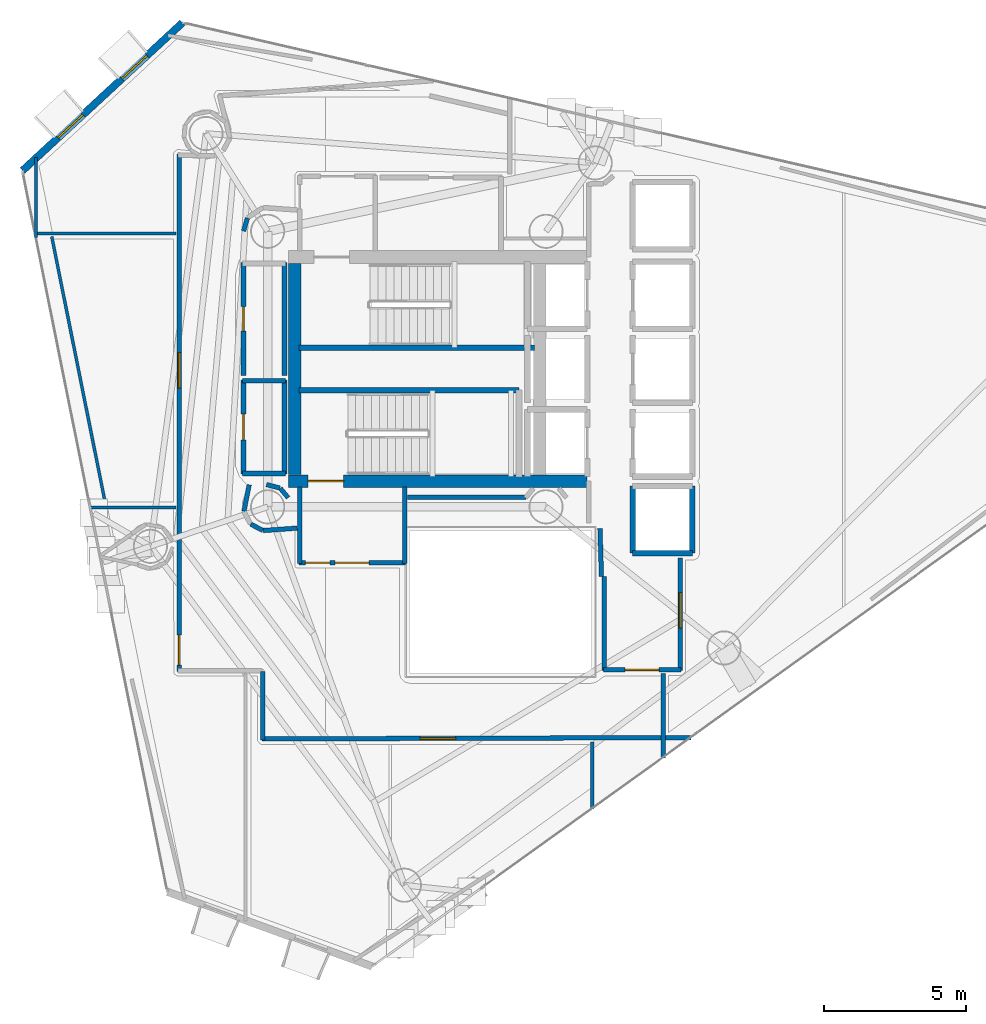
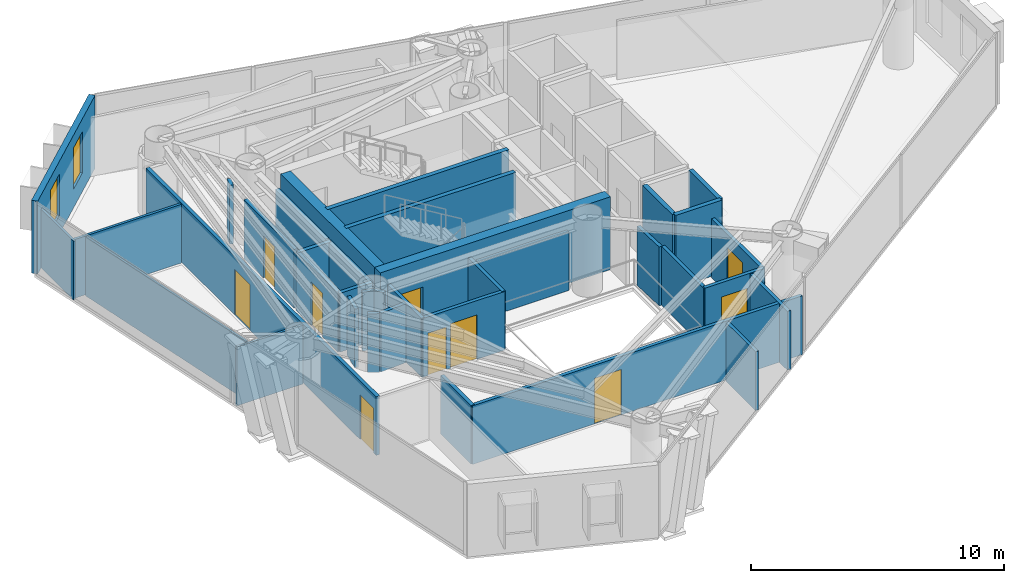
# One storey, part 17 of 22: 37 walls, 10 doors, 2 windows, 12 openings.
"""IFC4 building model written with IfcOpenShell, lengths in metres."""

from ifc_helpers import new_model, si_unit, direction, frame, frame_2d, origin, place, context, subcontext, project, spatial, rectangle, extrude, material, layer, layer_set, type_object, element, fill, save


model = new_model("IFC4")

# Units and contexts
model_context = context("Model", 3, precision=1e-05, world=origin(), true_north=direction((0.0, 1.0)))
body_context = subcontext(model_context, "Body", "Model", "MODEL_VIEW")
ifc_project = project(units=[si_unit("LENGTHUNIT", "METRE"), si_unit("AREAUNIT", "SQUARE_METRE"), si_unit("VOLUMEUNIT", "CUBIC_METRE"), si_unit("PLANEANGLEUNIT", "RADIAN"), si_unit("MASSUNIT", "GRAM", prefix="KILO")], contexts=[model_context])

# Site, building, storey
site_placement = place(None, origin())
site = spatial("IfcSite", under=ifc_project, at=site_placement, CompositionType="ELEMENT")
building_placement = place(site_placement, origin())
building = spatial("IfcBuilding", under=site, at=building_placement, Name="Qianvela Tower", CompositionType="ELEMENT")
storey_placement = place(building_placement, frame((0.0, 0.0, 204.0)))
storey = spatial("IfcBuildingStorey", under=building, at=storey_placement, Name="L52", CompositionType="ELEMENT", Elevation=204.0)

# Wall, openings, windows
ifc_material_1 = material(Name="Terracotta Cladding on Concrete C40", Category="masonry")
ifc_layer_1 = layer(ifc_material_1, 0.260009765625)
ifc_layer_set_1 = layer_set([ifc_layer_1], Name="Terracotta Cladding on Concrete C40")
wall_type_1 = type_object("IfcWallType", Name="TERRACOTTA-WALL-260", PredefinedType="SOLIDWALL", material=ifc_layer_set_1)
wall_1_placement = place(storey_placement, frame((25.60107421875, 40.89306640625, 0.0), z_axis=(0.0, 0.0, 1.0), x_axis=(-0.734371177533, -0.678748092896, 0.0)))
wall_1 = element("IfcWall", 1, at=wall_1_placement, inside=storey, type_object=wall_type_1, Name="L52 Terracotta Chamfer Facet Wall 3", PredefinedType="SOLIDWALL", context=body_context, shape_type="SweptSolid", body=[
    extrude(rectangle(XDim=7.66796875, YDim=0.260009765625, at=frame_2d((3.833984375, 0.0))), origin(), (0.0, 0.0, 1.0), 3.52001953125),
])
opening_1_placement = place(wall_1_placement, frame((1.700439453125, 0.0, 0.89990234375)))
opening_1 = element("IfcOpeningElement", 2, at=opening_1_placement, cuts=wall_1, Name="Opening W-03", PredefinedType="OPENING", context=body_context, shape_type="SweptSolid", body=[
    extrude(rectangle(XDim=1.199951171875, YDim=2.0, at=frame_2d((0.60009765625, 1.0))), frame((0.0, 0.139892578125, 0.0), z_axis=(0.0, -1.0, 0.0), x_axis=(1.0, 0.0, 0.0)), (0.0, 0.0, 1.0), 0.280029296875),
])
opening_2_placement = place(wall_1_placement, frame((4.767578125, 0.0, 0.89990234375)))
opening_2 = element("IfcOpeningElement", 3, at=opening_2_placement, cuts=wall_1, Name="Opening W-03", PredefinedType="OPENING", context=body_context, shape_type="SweptSolid", body=[
    extrude(rectangle(XDim=1.199951171875, YDim=2.0, at=frame_2d((0.60009765625, 1.0))), frame((0.0, 0.139892578125, 0.0), z_axis=(0.0, -1.0, 0.0), x_axis=(1.0, 0.0, 0.0)), (0.0, 0.0, 1.0), 0.280029296875),
])
ifc_material_2 = material(Name="Thermally Broken Aluminium and Low-E Glass", Category="aluminium")
window_type = type_object("IfcWindowType", Name="WIN-TC-1200x2000", PartitioningType="SINGLE_PANEL", PredefinedType="WINDOW", material=ifc_material_2)
window_1_placement = place(opening_1_placement, origin())
window_1 = element("IfcWindow", 4, at=window_1_placement, inside=storey, type_object=window_type, Name="L52 Chamfer Facet Window 3.1", OverallHeight=2.0, OverallWidth=1.199951171875, PartitioningType="SINGLE_PANEL", PredefinedType="WINDOW", context=body_context, shape_type="SweptSolid", body=[
    extrude(rectangle(XDim=1.199951171875, YDim=2.0, at=frame_2d((0.60009765625, 1.0))), frame((0.0, 0.030029296875, 0.0), z_axis=(0.0, -1.0, 0.0), x_axis=(1.0, 0.0, 0.0)), (0.0, 0.0, 1.0), 0.06005859375),
])
fill(opening_1, window_1)
window_2_placement = place(opening_2_placement, origin())
window_2 = element("IfcWindow", 5, at=window_2_placement, inside=storey, type_object=window_type, Name="L52 Chamfer Facet Window 3.2", OverallHeight=2.0, OverallWidth=1.199951171875, PartitioningType="SINGLE_PANEL", PredefinedType="WINDOW", context=body_context, shape_type="SweptSolid", body=[
    extrude(rectangle(XDim=1.199951171875, YDim=2.0, at=frame_2d((0.60009765625, 1.0))), frame((0.0, 0.030029296875, 0.0), z_axis=(0.0, -1.0, 0.0), x_axis=(1.0, 0.0, 0.0)), (0.0, 0.0, 1.0), 0.06005859375),
])
fill(opening_2, window_2)

# Wall, opening, door
ifc_material_3 = material(Name="Concrete C50", Category="concrete")
ifc_layer_2 = layer(ifc_material_3, 0.449951171875)
ifc_layer_set_2 = layer_set([ifc_layer_2], Name="Concrete C50")
wall_type_2 = type_object("IfcWallType", Name="WT-CORE-450", PredefinedType="SHEAR", material=ifc_layer_set_2)
wall_2_placement = place(storey_placement, frame((29.330078125, 24.7548828125, 0.0), z_axis=(0.0, 0.0, 1.0), x_axis=(1.0, 0.0, 0.0)))
wall_2 = element("IfcWall", 6, at=wall_2_placement, inside=storey, type_object=wall_type_2, Name="L52 South Core Shear Wall", PredefinedType="SHEAR", context=body_context, shape_type="SweptSolid", body=[
    extrude(rectangle(XDim=10.52001953125, YDim=0.449951171875, at=frame_2d((5.260009765625, 0.0))), origin(), (0.0, 0.0, 1.0), 3.52001953125),
])
opening_3_placement = place(wall_2_placement, frame((0.695068359375, 0.0, 0.0)))
opening_3 = element("IfcOpeningElement", 7, at=opening_3_placement, cuts=wall_2, Name="Opening D-ST1", PredefinedType="OPENING", context=body_context, shape_type="SweptSolid", body=[
    extrude(rectangle(XDim=1.25, YDim=2.14990234375, at=frame_2d((0.625, 1.074951171875))), frame((0.0, 0.23486328125, 0.0), z_axis=(0.0, -1.0, 0.0), x_axis=(1.0, 0.0, 0.0)), (0.0, 0.0, 1.0), 0.469970703125),
])
ifc_material_4 = material(Name="Galvanised Fire Steel Q355B", Category="steel")
door_type_1 = type_object("IfcDoorType", Name="DT-STAIR-FD90", OperationType="NOTDEFINED", PredefinedType="DOOR", material=ifc_material_4)
door_1_placement = place(opening_3_placement, origin())
door_1 = element("IfcDoor", 8, at=door_1_placement, inside=storey, type_object=door_type_1, Name="L52 Stair ST-2 Exit Door", OperationType="SINGLE_SWING_RIGHT", OverallHeight=2.14990234375, OverallWidth=1.25, PredefinedType="DOOR", context=body_context, shape_type="SweptSolid", body=[
    extrude(rectangle(XDim=1.25, YDim=2.14990234375, at=frame_2d((0.625, 1.074951171875))), frame((0.0, 0.02490234375, 0.0), z_axis=(0.0, -1.0, 0.0), x_axis=(1.0, 0.0, 0.0)), (0.0, 0.0, 1.0), 0.050048828125),
])
fill(opening_3, door_1)

# Wall
wall_3_placement = place(storey_placement, frame((29.554931640625, 24.97998046875, 0.0), z_axis=(0.0, 0.0, 1.0), x_axis=(0.0, 1.0, 0.0)))
element("IfcWall", 9, at=wall_3_placement, inside=storey, type_object=wall_type_2, Name="L52 West Core Shear Wall", PredefinedType="SHEAR", context=body_context, shape_type="SweptSolid", body=[
    extrude(rectangle(XDim=7.43994140625, YDim=0.449951171875, at=frame_2d((3.719970703125, 0.0))), origin(), (0.0, 0.0, 1.0), 3.52001953125),
])

# Wall, openings, doors
ifc_material_5 = material(Name="Fire-Rated Gypsum and Concrete Block", Category="concrete")
ifc_layer_3 = layer(ifc_material_5, 0.159912109375)
ifc_layer_set_3 = layer_set([ifc_layer_3], Name="Fire-Rated Gypsum and Concrete Block")
wall_type_3 = type_object("IfcWallType", Name="WT-CORR-160", PredefinedType="PARTITIONING", material=ifc_layer_set_3)
wall_4_placement = place(storey_placement, frame((33.449951171875, 21.881103515625, 0.0), z_axis=(0.0, 0.0, 1.0), x_axis=(-1.0, 0.0, 0.0)))
wall_4 = element("IfcWall", 10, at=wall_4_placement, inside=storey, type_object=wall_type_3, Name="L52 Partition 5", PredefinedType="PARTITIONING", context=body_context, shape_type="SweptSolid", body=[
    extrude(rectangle(XDim=3.75, YDim=0.159912109375, at=frame_2d((1.875, 0.0))), origin(), (0.0, 0.0, 1.0), 2.840087890625),
])
opening_4_placement = place(wall_4_placement, frame((1.27490234375, 0.0, 0.0)))
opening_4 = element("IfcOpeningElement", 11, at=opening_4_placement, cuts=wall_4, Name="Opening D-LB1", PredefinedType="OPENING", context=body_context, shape_type="SweptSolid", body=[
    extrude(rectangle(XDim=1.199951171875, YDim=2.14990234375, at=frame_2d((0.60009765625, 1.074951171875))), frame((0.0, 0.08984375, 0.0), z_axis=(0.0, -1.0, 0.0), x_axis=(1.0, 0.0, 0.0)), (0.0, 0.0, 1.0), 0.179931640625),
])
opening_5_placement = place(wall_4_placement, frame((2.659912109375, 0.0, 0.0)))
opening_5 = element("IfcOpeningElement", 12, at=opening_5_placement, cuts=wall_4, Name="Opening D-LB2", PredefinedType="OPENING", context=body_context, shape_type="SweptSolid", body=[
    extrude(rectangle(XDim=0.860107421875, YDim=2.050048828125, at=frame_2d((0.43017578125, 1.02490234375))), frame((0.0, 0.08984375, 0.0), z_axis=(0.0, -1.0, 0.0), x_axis=(1.0, 0.0, 0.0)), (0.0, 0.0, 1.0), 0.179931640625),
])
ifc_material_6 = material(Name="Glazed Fire-Rated Steel Frame", Category="steel")
door_type_2 = type_object("IfcDoorType", Name="DT-LOBBY-FD90", OperationType="NOTDEFINED", PredefinedType="DOOR", material=ifc_material_6)
door_2_placement = place(opening_4_placement, origin())
door_2 = element("IfcDoor", 13, at=door_2_placement, inside=storey, type_object=door_type_2, Name="L52 Door L52 Firefighting Lobby South to L52 Floor Corridor", OperationType="SINGLE_SWING_LEFT", OverallHeight=2.14990234375, OverallWidth=1.199951171875, PredefinedType="DOOR", context=body_context, shape_type="SweptSolid", body=[
    extrude(rectangle(XDim=1.199951171875, YDim=2.14990234375, at=frame_2d((0.60009765625, 1.074951171875))), frame((0.0, 0.02490234375, 0.0), z_axis=(0.0, -1.0, 0.0), x_axis=(1.0, 0.0, 0.0)), (0.0, 0.0, 1.0), 0.050048828125),
])
fill(opening_4, door_2)
ifc_material_7 = material(Name="Insulated Steel Fire Door Q355B", Category="steel")
door_type_3 = type_object("IfcDoorType", Name="DT-LOBBY-FD90-860", OperationType="NOTDEFINED", PredefinedType="DOOR", material=ifc_material_7)
door_3_placement = place(opening_5_placement, origin())
door_3 = element("IfcDoor", 14, at=door_3_placement, inside=storey, type_object=door_type_3, Name="L52 Door L52 Firefighting Lobby South to L52 Floor Corridor", OperationType="SINGLE_SWING_RIGHT", OverallHeight=2.050048828125, OverallWidth=0.860107421875, PredefinedType="DOOR", context=body_context, shape_type="SweptSolid", body=[
    extrude(rectangle(XDim=0.860107421875, YDim=2.050048828125, at=frame_2d((0.43017578125, 1.02490234375))), frame((0.0, 0.02490234375, 0.0), z_axis=(0.0, -1.0, 0.0), x_axis=(1.0, 0.0, 0.0)), (0.0, 0.0, 1.0), 0.050048828125),
])
fill(opening_5, door_3)

# Walls
for number, where, z_axis, x_axis, name in (
    (15, (29.73095703125, 21.85009765625, 0.0), (0.0, 0.0, 1.0), (0.0, 1.0, 0.0), "L52 Partition 6"),
    (16, (33.4189453125, 24.5419921875, 0.0), (0.0, 0.0, 1.0), (0.0, -1.0, 0.0), "L52 Partition 8"),
):
    element("IfcWall", number, at=place(storey_placement, frame(where, z_axis=z_axis, x_axis=x_axis)), inside=storey, type_object=wall_type_3, Name=name, PredefinedType="PARTITIONING", context=body_context, shape_type="SweptSolid", body=[
        extrude(rectangle(XDim=2.69189453125, YDim=0.159912109375, at=frame_2d((1.345947265625, 0.0))), origin(), (0.0, 0.0, 1.0), 2.840087890625),
    ])
wall_5_placement = place(storey_placement, frame((40.35107421875, 21.40087890625, 0.0), z_axis=(0.0, 0.0, 1.0), x_axis=(-0.031058045979, 0.999517582527, 0.0)))
element("IfcWall", 17, at=wall_5_placement, inside=storey, type_object=wall_type_3, Name="L52 Partition 9", PredefinedType="PARTITIONING", context=body_context, shape_type="SweptSolid", body=[
    extrude(rectangle(XDim=1.68212890625, YDim=0.159912109375, at=frame_2d((0.841064453125, 0.0))), origin(), (0.0, 0.0, 1.0), 2.840087890625),
])

# Wall, opening, door
wall_6_placement = place(storey_placement, frame((43.118896484375, 22.050048828125, 0.0), z_axis=(0.0, 0.0, 1.0), x_axis=(0.0, -1.0, 0.0)))
wall_6 = element("IfcWall", 18, at=wall_6_placement, inside=storey, type_object=wall_type_3, Name="L52 Partition 17", PredefinedType="PARTITIONING", context=body_context, shape_type="SweptSolid", body=[
    extrude(rectangle(XDim=3.969970703125, YDim=0.159912109375, at=frame_2d((1.98486328125, 0.0))), origin(), (0.0, 0.0, 1.0), 2.840087890625),
])
opening_6_placement = place(wall_6_placement, frame((1.219970703125, 0.0, 0.0)))
opening_6 = element("IfcOpeningElement", 19, at=opening_6_placement, cuts=wall_6, Name="Opening D-LG1", PredefinedType="OPENING", context=body_context, shape_type="SweptSolid", body=[
    extrude(rectangle(XDim=1.25, YDim=2.199951171875, at=frame_2d((0.625, 1.10009765625))), frame((0.0, 0.08984375, 0.0), z_axis=(0.0, -1.0, 0.0), x_axis=(1.0, 0.0, 0.0)), (0.0, 0.0, 1.0), 0.179931640625),
])
ifc_material_8 = material(Name="Anodised Aluminium Acoustic Glass Door", Category="aluminium")
door_type_4 = type_object("IfcDoorType", Name="DT-LOUNGE-1250", OperationType="NOTDEFINED", PredefinedType="DOOR", material=ifc_material_8)
door_4_placement = place(opening_6_placement, origin())
door_4 = element("IfcDoor", 20, at=door_4_placement, inside=storey, type_object=door_type_4, Name="L52 Door Collaborative Co-working Office L52-02 to L52 Lift Lobby", OperationType="SINGLE_SWING_LEFT", OverallHeight=2.199951171875, OverallWidth=1.25, PredefinedType="DOOR", context=body_context, shape_type="SweptSolid", body=[
    extrude(rectangle(XDim=1.25, YDim=2.199951171875, at=frame_2d((0.625, 1.10009765625))), frame((0.0, 0.02490234375, 0.0), z_axis=(0.0, -1.0, 0.0), x_axis=(1.0, 0.0, 0.0)), (0.0, 0.0, 1.0), 0.050048828125),
])
fill(opening_6, door_4)

wall_7_placement = place(storey_placement, frame((43.14990234375, 18.111083984375, 0.0), z_axis=(0.0, 0.0, 1.0), x_axis=(-1.0, 0.0, 0.0)))
wall_7 = element("IfcWall", 21, at=wall_7_placement, inside=storey, type_object=wall_type_3, Name="L52 Partition 18", PredefinedType="PARTITIONING", context=body_context, shape_type="SweptSolid", body=[
    extrude(rectangle(XDim=2.72998046875, YDim=0.159912109375, at=frame_2d((1.364990234375, 0.0))), origin(), (0.0, 0.0, 1.0), 2.840087890625),
])
opening_7_placement = place(wall_7_placement, frame((0.764892578125, 0.0, 0.0)))
opening_7 = element("IfcOpeningElement", 22, at=opening_7_placement, cuts=wall_7, Name="Opening D-LB1", PredefinedType="OPENING", context=body_context, shape_type="SweptSolid", body=[
    extrude(rectangle(XDim=1.199951171875, YDim=2.14990234375, at=frame_2d((0.60009765625, 1.074951171875))), frame((0.0, 0.08984375, 0.0), z_axis=(0.0, -1.0, 0.0), x_axis=(1.0, 0.0, 0.0)), (0.0, 0.0, 1.0), 0.179931640625),
])
door_5_placement = place(opening_7_placement, origin())
door_5 = element("IfcDoor", 23, at=door_5_placement, inside=storey, type_object=door_type_2, Name="L52 Door L52 Lift Lobby to L52 Floor Corridor", OperationType="SINGLE_SWING_RIGHT", OverallHeight=2.14990234375, OverallWidth=1.199951171875, PredefinedType="DOOR", context=body_context, shape_type="SweptSolid", body=[
    extrude(rectangle(XDim=1.199951171875, YDim=2.14990234375, at=frame_2d((0.60009765625, 1.074951171875))), frame((0.0, 0.02490234375, 0.0), z_axis=(0.0, -1.0, 0.0), x_axis=(1.0, 0.0, 0.0)), (0.0, 0.0, 1.0), 0.050048828125),
])
fill(opening_7, door_5)

# Walls
wall_8_placement = place(storey_placement, frame((40.450927734375, 18.080078125, 0.0), z_axis=(0.0, 0.0, 1.0), x_axis=(0.0, 1.0, 0.0)))
element("IfcWall", 24, at=wall_8_placement, inside=storey, type_object=wall_type_3, Name="L52 Partition 19 seg 1", PredefinedType="PARTITIONING", context=body_context, shape_type="SweptSolid", body=[
    extrude(rectangle(XDim=3.31982421875, YDim=0.159912109375, at=frame_2d((1.659912109375, 0.0))), origin(), (0.0, 0.0, 1.0), 2.840087890625),
])
wall_9_placement = place(storey_placement, frame((29.321044921875, 24.169921875, 0.0), z_axis=(0.0, 0.0, 1.0), x_axis=(-0.638008265708, 0.770029514296, 0.0)))
element("IfcWall", 25, at=wall_9_placement, inside=storey, type_object=wall_type_3, Name="L52 Partition 36", PredefinedType="PARTITIONING", context=body_context, shape_type="SweptSolid", body=[
    extrude(rectangle(XDim=0.430908203125, YDim=0.159912109375, at=frame_2d((0.21533203125, 0.0))), origin(), (0.0, 0.0, 1.0), 2.840087890625),
])
wall_10_placement = place(storey_placement, frame((29.030029296875, 24.511962890625, 0.0), z_axis=(0.0, 0.0, 1.0), x_axis=(-0.967681003213, 0.252177469296, 0.0)))
element("IfcWall", 26, at=wall_10_placement, inside=storey, type_object=wall_type_3, Name="L52 Partition 37", PredefinedType="PARTITIONING", context=body_context, shape_type="SweptSolid", body=[
    extrude(rectangle(XDim=0.488037109375, YDim=0.159912109375, at=frame_2d((0.244140625, 0.0))), origin(), (0.0, 0.0, 1.0), 2.840087890625),
])
wall_11_placement = place(storey_placement, frame((37.70263671875, 24.180908203125, 0.0), z_axis=(0.0, 0.0, 1.0), x_axis=(-1.0, 0.0, 0.0)))
element("IfcWall", 27, at=wall_11_placement, inside=storey, type_object=wall_type_3, Name="L52 Partition 49", PredefinedType="PARTITIONING", context=body_context, shape_type="SweptSolid", body=[
    extrude(rectangle(XDim=4.172607421875, YDim=0.159912109375, at=frame_2d((2.08642578125, 0.0))), origin(), (0.0, 0.0, 1.0), 2.840087890625),
])
wall_12_placement = place(storey_placement, frame((27.888427734375, 34.0146484375, 0.0), z_axis=(0.0, 0.0, 1.0), x_axis=(-0.290263585829, -0.956946733492, 0.0)))
element("IfcWall", 28, at=wall_12_placement, inside=storey, type_object=wall_type_3, Name="L52 Partition 58", PredefinedType="PARTITIONING", context=body_context, shape_type="SweptSolid", body=[
    extrude(rectangle(XDim=0.47607421875, YDim=0.159912109375, at=frame_2d((0.238037109375, 0.0))), origin(), (0.0, 0.0, 1.0), 2.840087890625),
])
wall_13_placement = place(storey_placement, frame((27.950439453125, 24.626220703125, 0.0), z_axis=(0.0, 0.0, 1.0), x_axis=(-0.195125950178, -0.980778192848, 0.0)))
element("IfcWall", 29, at=wall_13_placement, inside=storey, type_object=wall_type_3, Name="L52 Partition 62", PredefinedType="PARTITIONING", context=body_context, shape_type="SweptSolid", body=[
    extrude(rectangle(XDim=0.948486328125, YDim=0.159912109375, at=frame_2d((0.47412109375, 0.0))), origin(), (0.0, 0.0, 1.0), 2.840087890625),
])
wall_14_placement = place(storey_placement, frame((28.005615234375, 23.242919921875, 0.0), z_axis=(0.0, 0.0, 1.0), x_axis=(0.881670519123, -0.471865548338, 0.0)))
element("IfcWall", 30, at=wall_14_placement, inside=storey, type_object=wall_type_3, Name="L52 Partition 64", PredefinedType="PARTITIONING", context=body_context, shape_type="SweptSolid", body=[
    extrude(rectangle(XDim=0.47607421875, YDim=0.159912109375, at=frame_2d((0.238037109375, 0.0))), origin(), (0.0, 0.0, 1.0), 2.840087890625),
])
wall_15_placement = place(storey_placement, frame((28.4423828125, 23.014892578125, 0.0), z_axis=(0.0, 0.0, 1.0), x_axis=(0.99740683837, 0.07196942943, 0.0)))
element("IfcWall", 31, at=wall_15_placement, inside=storey, type_object=wall_type_3, Name="L52 Partition 65", PredefinedType="PARTITIONING", context=body_context, shape_type="SweptSolid", body=[
    extrude(rectangle(XDim=1.200927734375, YDim=0.159912109375, at=frame_2d((0.6005859375, 0.0))), origin(), (0.0, 0.0, 1.0), 2.840087890625),
])
wall_16_placement = place(storey_placement, frame((42.51904296875, 17.97998046875, 0.0), z_axis=(0.0, 0.0, 1.0), x_axis=(0.0, -1.0, 0.0)))
element("IfcWall", 32, at=wall_16_placement, inside=storey, type_object=wall_type_3, Name="L52 Partition 69", PredefinedType="PARTITIONING", context=body_context, shape_type="SweptSolid", body=[
    extrude(rectangle(XDim=2.969482421875, YDim=0.159912109375, at=frame_2d((1.48486328125, 0.0))), origin(), (0.0, 0.0, 1.0), 2.840087890625),
])

# Wall, opening, door
wall_17_placement = place(storey_placement, frame((43.5078125, 15.72705078125, 0.0), z_axis=(0.0, 0.0, 1.0), x_axis=(-0.999995335964, -0.003054185684, 0.0)))
wall_17 = element("IfcWall", 33, at=wall_17_placement, inside=storey, type_object=wall_type_3, Name="L52 Partition 70", PredefinedType="PARTITIONING", context=body_context, shape_type="SweptSolid", body=[
    extrude(rectangle(XDim=15.10791015625, YDim=0.159912109375, at=frame_2d((7.553955078125, 0.0))), origin(), (0.0, 0.0, 1.0), 2.840087890625),
])
opening_8_placement = place(wall_17_placement, frame((8.28662109375, 0.0, 0.0)))
opening_8 = element("IfcOpeningElement", 34, at=opening_8_placement, cuts=wall_17, Name="Opening D-LG1", PredefinedType="OPENING", context=body_context, shape_type="SweptSolid", body=[
    extrude(rectangle(XDim=1.25, YDim=2.199951171875, at=frame_2d((0.625, 1.10009765625))), frame((0.0, 0.08984375, 0.0), z_axis=(0.0, -1.0, 0.0), x_axis=(1.0, 0.0, 0.0)), (0.0, 0.0, 1.0), 0.179931640625),
])
door_6_placement = place(opening_8_placement, origin())
door_6 = element("IfcDoor", 35, at=door_6_placement, inside=storey, type_object=door_type_4, Name="L52 Door Panoramic Study Lounge L52-05 to L52 Floor Corridor", OperationType="SINGLE_SWING_RIGHT", OverallHeight=2.199951171875, OverallWidth=1.25, PredefinedType="DOOR", context=body_context, shape_type="SweptSolid", body=[
    extrude(rectangle(XDim=1.25, YDim=2.199951171875, at=frame_2d((0.625, 1.10009765625))), frame((0.0, 0.02490234375, 0.0), z_axis=(0.0, -1.0, 0.0), x_axis=(1.0, 0.0, 0.0)), (0.0, 0.0, 1.0), 0.050048828125),
])
fill(opening_8, door_6)

# Wall
wall_18_placement = place(storey_placement, frame((28.430908203125, 15.64990234375, 0.0), z_axis=(0.0, 0.0, 1.0), x_axis=(0.0, 1.0, 0.0)))
element("IfcWall", 36, at=wall_18_placement, inside=storey, type_object=wall_type_3, Name="L52 Partition 71", PredefinedType="PARTITIONING", context=body_context, shape_type="SweptSolid", body=[
    extrude(rectangle(XDim=2.400146484375, YDim=0.159912109375, at=frame_2d((1.2001953125, 0.0))), origin(), (0.0, 0.0, 1.0), 2.840087890625),
])

# Wall, openings, doors
wall_19_placement = place(storey_placement, frame((25.48095703125, 18.050048828125, 0.0), z_axis=(0.0, 0.0, 1.0), x_axis=(0.0, 1.0, 0.0)))
wall_19 = element("IfcWall", 37, at=wall_19_placement, inside=storey, type_object=wall_type_3, Name="L52 Partition 73", PredefinedType="PARTITIONING", context=body_context, shape_type="SweptSolid", body=[
    extrude(rectangle(XDim=18.218505859375, YDim=0.159912109375, at=frame_2d((9.109375, 0.0))), origin(), (0.0, 0.0, 1.0), 2.840087890625),
])
opening_9_placement = place(wall_19_placement, frame((0.22998046875, 0.0, 0.0)))
opening_9 = element("IfcOpeningElement", 38, at=opening_9_placement, cuts=wall_19, Name="Opening D-PL1", PredefinedType="OPENING", context=body_context, shape_type="SweptSolid", body=[
    extrude(rectangle(XDim=1.050048828125, YDim=2.14990234375, at=frame_2d((0.52490234375, 1.074951171875))), frame((0.0, 0.08984375, 0.0), z_axis=(0.0, -1.0, 0.0), x_axis=(1.0, 0.0, 0.0)), (0.0, 0.0, 1.0), 0.179931640625),
])
opening_10_placement = place(wall_19_placement, frame((9.97509765625, 0.0, 0.0)))
opening_10 = element("IfcOpeningElement", 39, at=opening_10_placement, cuts=wall_19, Name="Opening D-LG1", PredefinedType="OPENING", context=body_context, shape_type="SweptSolid", body=[
    extrude(rectangle(XDim=1.25, YDim=2.199951171875, at=frame_2d((0.625, 1.10009765625))), frame((0.0, 0.08984375, 0.0), z_axis=(0.0, -1.0, 0.0), x_axis=(1.0, 0.0, 0.0)), (0.0, 0.0, 1.0), 0.179931640625),
])
door_7_placement = place(opening_10_placement, origin())
door_7 = element("IfcDoor", 40, at=door_7_placement, inside=storey, type_object=door_type_4, Name="L52 Door Quiet Reading Study L52-04 to L52 Floor Corridor", OperationType="SINGLE_SWING_LEFT", OverallHeight=2.199951171875, OverallWidth=1.25, PredefinedType="DOOR", context=body_context, shape_type="SweptSolid", body=[
    extrude(rectangle(XDim=1.25, YDim=2.199951171875, at=frame_2d((0.625, 1.10009765625))), frame((0.0, 0.02490234375, 0.0), z_axis=(0.0, -1.0, 0.0), x_axis=(1.0, 0.0, 0.0)), (0.0, 0.0, 1.0), 0.050048828125),
])
fill(opening_10, door_7)
ifc_material_9 = material(Name="Insulated Steel Fire Door Q355B", Category="steel")
door_type_5 = type_object("IfcDoorType", Name="DT-PLANT-FD90", OperationType="NOTDEFINED", PredefinedType="DOOR", material=ifc_material_9)
door_8_placement = place(opening_9_placement, origin())
door_8 = element("IfcDoor", 41, at=door_8_placement, inside=storey, type_object=door_type_5, Name="L52 Door Digital Research Office L52-01 to L52 Floor Corridor", OperationType="SINGLE_SWING_RIGHT", OverallHeight=2.14990234375, OverallWidth=1.050048828125, PredefinedType="DOOR", context=body_context, shape_type="SweptSolid", body=[
    extrude(rectangle(XDim=1.050048828125, YDim=2.14990234375, at=frame_2d((0.52490234375, 1.074951171875))), frame((0.0, 0.02490234375, 0.0), z_axis=(0.0, -1.0, 0.0), x_axis=(1.0, 0.0, 0.0)), (0.0, 0.0, 1.0), 0.050048828125),
])
fill(opening_9, door_8)

# Walls
ifc_material_10 = material(Name="Lightweight Gypsum Room Partition")
ifc_layer_4 = layer(ifc_material_10, 0.10498046875)
ifc_layer_set_4 = layer_set([ifc_layer_4], Name="Lightweight Gypsum Room Partition")
wall_type_4 = type_object("IfcWallType", Name="WT-PART-105", PredefinedType="PARTITIONING", material=ifc_layer_set_4)
wall_20_placement = place(storey_placement, frame((22.3330078125, 23.826904296875, 0.0), z_axis=(0.0, 0.0, 1.0), x_axis=(1.0, 0.0, 0.0)))
element("IfcWall", 42, at=wall_20_placement, inside=storey, type_object=wall_type_4, Name="L52 Partition 89", PredefinedType="PARTITIONING", context=body_context, shape_type="SweptSolid", body=[
    extrude(rectangle(XDim=3.037109375, YDim=0.10498046875, at=frame_2d((1.5185546875, 0.0))), origin(), (0.0, 0.0, 1.0), 2.840087890625),
])
wall_21_placement = place(storey_placement, frame((20.44189453125, 33.339599609375, 0.0), z_axis=(0.0, 0.0, 1.0), x_axis=(-0.000608960305, 0.999999814584, 0.0)))
element("IfcWall", 43, at=wall_21_placement, inside=storey, type_object=wall_type_4, Name="L52 Partition 119", PredefinedType="PARTITIONING", context=body_context, shape_type="SweptSolid", body=[
    extrude(rectangle(XDim=2.806396484375, YDim=0.10498046875, at=frame_2d((1.4033203125, 0.0))), origin(), (0.0, 0.0, 1.0), 2.840087890625),
])
wall_22_placement = place(storey_placement, frame((22.890869140625, 23.947998046875, 0.0), z_axis=(0.0, 0.0, 1.0), x_axis=(-0.196981324141, 0.980407240865, 0.0)))
element("IfcWall", 44, at=wall_22_placement, inside=storey, type_object=wall_type_4, Name="L52 Partition 125", PredefinedType="PARTITIONING", context=body_context, shape_type="SweptSolid", body=[
    extrude(rectangle(XDim=9.604248046875, YDim=0.10498046875, at=frame_2d((4.80224609375, 0.0))), origin(), (0.0, 0.0, 1.0), 2.840087890625),
])
ifc_material_11 = material(Name="Insulated Gypsum Stud Partition")
ifc_layer_5 = layer(ifc_material_11, 0.1201171875)
ifc_layer_set_5 = layer_set([ifc_layer_5], Name="Insulated Gypsum Stud Partition")
wall_type_5 = type_object("IfcWallType", Name="WT-PART-120", PredefinedType="PARTITIONING", material=ifc_layer_set_5)
wall_23_placement = place(storey_placement, frame((25.3701171875, 33.472900390625, 0.0), z_axis=(0.0, 0.0, 1.0), x_axis=(-1.0, 0.0, 0.0)))
element("IfcWall", 45, at=wall_23_placement, inside=storey, type_object=wall_type_5, Name="L52 Partition 118", PredefinedType="PARTITIONING", context=body_context, shape_type="SweptSolid", body=[
    extrude(rectangle(XDim=4.97509765625, YDim=0.1201171875, at=frame_2d((2.487548828125, 0.0))), origin(), (0.0, 0.0, 1.0), 2.840087890625),
])

# Wall, opening, door
ifc_material_12 = material(Name="Moisture-Resistant Acoustic Plumbing Wall")
ifc_layer_6 = layer(ifc_material_12, 0.175048828125)
ifc_layer_set_6 = layer_set([ifc_layer_6], Name="Moisture-Resistant Acoustic Plumbing Wall")
wall_type_6 = type_object("IfcWallType", Name="WT-PLUMB-175", PredefinedType="PLUMBINGWALL", material=ifc_layer_set_6)
wall_24_placement = place(storey_placement, frame((27.7509765625, 25.0, 0.0), z_axis=(0.0, 0.0, 1.0), x_axis=(0.0, 1.0, 0.0)))
wall_24 = element("IfcWall", 46, at=wall_24_placement, inside=storey, type_object=wall_type_6, Name="L52 Partition 24", PredefinedType="PLUMBINGWALL", context=body_context, shape_type="SweptSolid", body=[
    extrude(rectangle(XDim=3.320068359375, YDim=0.175048828125, at=frame_2d((1.66015625, 0.0))), origin(), (0.0, 0.0, 1.0), 2.840087890625),
])
opening_11_placement = place(wall_24_placement, frame((1.2099609375, 0.0, 0.0)))
opening_11 = element("IfcOpeningElement", 47, at=opening_11_placement, cuts=wall_24, Name="Opening D-KT1", PredefinedType="OPENING", context=body_context, shape_type="SweptSolid", body=[
    extrude(rectangle(XDim=0.89990234375, YDim=2.10009765625, at=frame_2d((0.449951171875, 1.050048828125))), frame((0.0, 0.097412109375, 0.0), z_axis=(0.0, -1.0, 0.0), x_axis=(1.0, 0.0, 0.0)), (0.0, 0.0, 1.0), 0.195068359375),
])
ifc_material_13 = material(Name="Glazed Timber Kitchen Door", Category="wood")
door_type_6 = type_object("IfcDoorType", Name="DT-KITCH-900", OperationType="NOTDEFINED", PredefinedType="DOOR", material=ifc_material_13)
door_9_placement = place(opening_11_placement, origin())
door_9 = element("IfcDoor", 48, at=door_9_placement, inside=storey, type_object=door_type_6, Name="L52 Door L52 Core Tea Pantry West to L52 Floor Corridor", OperationType="SINGLE_SWING_RIGHT", OverallHeight=2.10009765625, OverallWidth=0.89990234375, PredefinedType="DOOR", context=body_context, shape_type="SweptSolid", body=[
    extrude(rectangle(XDim=0.89990234375, YDim=2.10009765625, at=frame_2d((0.449951171875, 1.050048828125))), frame((0.0, 0.02490234375, 0.0), z_axis=(0.0, -1.0, 0.0), x_axis=(1.0, 0.0, 0.0)), (0.0, 0.0, 1.0), 0.050048828125),
])
fill(opening_11, door_9)

# Walls
wall_25_placement = place(storey_placement, frame((27.719970703125, 28.2890625, 0.0), z_axis=(0.0, 0.0, 1.0), x_axis=(1.0, 0.0, 0.0)))
element("IfcWall", 49, at=wall_25_placement, inside=storey, type_object=wall_type_6, Name="L52 Partition 25", PredefinedType="PLUMBINGWALL", context=body_context, shape_type="SweptSolid", body=[
    extrude(rectangle(XDim=1.5, YDim=0.175048828125, at=frame_2d((0.75, 0.0))), origin(), (0.0, 0.0, 1.0), 2.840087890625),
])
wall_26_placement = place(storey_placement, frame((29.18896484375, 28.320068359375, 0.0), z_axis=(0.0, 0.0, 1.0), x_axis=(0.0, -1.0, 0.0)))
element("IfcWall", 50, at=wall_26_placement, inside=storey, type_object=wall_type_6, Name="L52 Partition 26", PredefinedType="PLUMBINGWALL", context=body_context, shape_type="SweptSolid", body=[
    extrude(rectangle(XDim=3.320068359375, YDim=0.175048828125, at=frame_2d((1.66015625, 0.0))), origin(), (0.0, 0.0, 1.0), 2.840087890625),
])
wall_27_placement = place(storey_placement, frame((29.219970703125, 25.031005859375, 0.0), z_axis=(0.0, 0.0, 1.0), x_axis=(-1.0, 0.0, 0.0)))
element("IfcWall", 51, at=wall_27_placement, inside=storey, type_object=wall_type_6, Name="L52 Partition 27", PredefinedType="PLUMBINGWALL", context=body_context, shape_type="SweptSolid", body=[
    extrude(rectangle(XDim=1.5, YDim=0.175048828125, at=frame_2d((0.75, 0.0))), origin(), (0.0, 0.0, 1.0), 2.840087890625),
])

# Wall, opening, door
wall_28_placement = place(storey_placement, frame((27.7509765625, 28.47998046875, 0.0), z_axis=(0.0, 0.0, 1.0), x_axis=(0.0, 1.0, 0.0)))
wall_28 = element("IfcWall", 52, at=wall_28_placement, inside=storey, type_object=wall_type_6, Name="L52 Partition 28", PredefinedType="PLUMBINGWALL", context=body_context, shape_type="SweptSolid", body=[
    extrude(rectangle(XDim=3.969970703125, YDim=0.175048828125, at=frame_2d((1.98486328125, 0.0))), origin(), (0.0, 0.0, 1.0), 2.840087890625),
])
opening_12_placement = place(wall_28_placement, frame((1.554931640625, 0.0, 0.0)))
opening_12 = element("IfcOpeningElement", 53, at=opening_12_placement, cuts=wall_28, Name="Opening D-WC1", PredefinedType="OPENING", context=body_context, shape_type="SweptSolid", body=[
    extrude(rectangle(XDim=0.860107421875, YDim=2.050048828125, at=frame_2d((0.43017578125, 1.02490234375))), frame((0.0, 0.097412109375, 0.0), z_axis=(0.0, -1.0, 0.0), x_axis=(1.0, 0.0, 0.0)), (0.0, 0.0, 1.0), 0.195068359375),
])
ifc_material_14 = material(Name="Moisture-Sealed Acoustic Timber Door", Category="wood")
door_type_7 = type_object("IfcDoorType", Name="DT-WC-860", OperationType="NOTDEFINED", PredefinedType="DOOR", material=ifc_material_14)
door_10_placement = place(opening_12_placement, origin())
door_10 = element("IfcDoor", 54, at=door_10_placement, inside=storey, type_object=door_type_7, Name="L52 Door L52 Accessible WC to L52 Floor Corridor", OperationType="SINGLE_SWING_LEFT", OverallHeight=2.050048828125, OverallWidth=0.860107421875, PredefinedType="DOOR", context=body_context, shape_type="SweptSolid", body=[
    extrude(rectangle(XDim=0.860107421875, YDim=2.050048828125, at=frame_2d((0.43017578125, 1.02490234375))), frame((0.0, 0.02490234375, 0.0), z_axis=(0.0, -1.0, 0.0), x_axis=(1.0, 0.0, 0.0)), (0.0, 0.0, 1.0), 0.050048828125),
])
fill(opening_12, door_10)

# Walls
wall_29_placement = place(storey_placement, frame((29.18896484375, 32.449951171875, 0.0), z_axis=(0.0, 0.0, 1.0), x_axis=(0.0, -1.0, 0.0)))
element("IfcWall", 55, at=wall_29_placement, inside=storey, type_object=wall_type_6, Name="L52 Partition 30", PredefinedType="PLUMBINGWALL", context=body_context, shape_type="SweptSolid", body=[
    extrude(rectangle(XDim=3.969970703125, YDim=0.175048828125, at=frame_2d((1.98486328125, 0.0))), origin(), (0.0, 0.0, 1.0), 2.840087890625),
])
ifc_material_15 = material(Name="Acoustic Double Gypsum Stud Partition")
ifc_layer_7 = layer(ifc_material_15, 0.139892578125)
ifc_layer_set_7 = layer_set([ifc_layer_7], Name="Acoustic Double Gypsum Stud Partition")
wall_type_7 = type_object("IfcWallType", Name="WT-ROOM-140", PredefinedType="PARTITIONING", material=ifc_layer_set_7)
wall_30_placement = place(storey_placement, frame((40.027099609375, 15.570068359375, 0.0), z_axis=(0.0, 0.0, 1.0), x_axis=(0.0, -1.0, 0.0)))
element("IfcWall", 56, at=wall_30_placement, inside=storey, type_object=wall_type_7, Name="L52 Partition 129", PredefinedType="PARTITIONING", context=body_context, shape_type="SweptSolid", body=[
    extrude(rectangle(XDim=2.35107421875, YDim=0.139892578125, at=frame_2d((1.175537109375, 0.0))), origin(), (0.0, 0.0, 1.0), 2.840087890625),
])
ifc_material_16 = material(Name="Concrete C50", Category="concrete")
ifc_layer_8 = layer(ifc_material_16, 0.199951171875)
ifc_layer_set_8 = layer_set([ifc_layer_8], Name="Concrete C50")
wall_type_8 = type_object("IfcWallType", Name="WT-SHAFT-200", PredefinedType="SOLIDWALL", material=ifc_layer_set_8)
wall_31_placement = place(storey_placement, frame((29.699951171875, 29.449951171875, 0.0), z_axis=(0.0, 0.0, 1.0), x_axis=(1.0, 0.0, 0.0)))
element("IfcWall", 57, at=wall_31_placement, inside=storey, type_object=wall_type_8, Name="L52 Stair ST-1 South Wall", PredefinedType="SOLIDWALL", context=body_context, shape_type="SweptSolid", body=[
    extrude(rectangle(XDim=8.300048828125, YDim=0.199951171875, at=frame_2d((4.14990234375, 0.0))), origin(), (0.0, 0.0, 1.0), 3.52001953125),
])
wall_32_placement = place(storey_placement, frame((29.699951171875, 27.9599609375, 0.0), z_axis=(0.0, 0.0, 1.0), x_axis=(1.0, 0.0, 0.0)))
element("IfcWall", 58, at=wall_32_placement, inside=storey, type_object=wall_type_8, Name="L52 Stair ST-2 North Wall", PredefinedType="SOLIDWALL", context=body_context, shape_type="SweptSolid", body=[
    extrude(rectangle(XDim=7.75, YDim=0.199951171875, at=frame_2d((3.875, 0.0))), origin(), (0.0, 0.0, 1.0), 3.52001953125),
])
for number, where, z_axis, x_axis, name in (
    (59, (43.550048828125, 22.219970703125, 0.0), (0.0, 0.0, 1.0), (0.0, 1.0, 0.0), "L52 Lift PL-H2 E Shaft Wall"),
    (60, (41.449951171875, 22.219970703125, 0.0), (0.0, 0.0, 1.0), (0.0, 1.0, 0.0), "L52 Lift PL-H2 W Shaft Wall"),
):
    element("IfcWall", number, at=place(storey_placement, frame(where, z_axis=z_axis, x_axis=x_axis)), inside=storey, type_object=wall_type_8, Name=name, PredefinedType="SOLIDWALL", context=body_context, shape_type="SweptSolid", body=[
        extrude(rectangle(XDim=2.360107421875, YDim=0.199951171875, at=frame_2d((1.18017578125, 0.0))), origin(), (0.0, 0.0, 1.0), 3.52001953125),
    ])
wall_33_placement = place(storey_placement, frame((41.449951171875, 22.219970703125, 0.0), z_axis=(0.0, 0.0, 1.0), x_axis=(1.0, 0.0, 0.0)))
element("IfcWall", 61, at=wall_33_placement, inside=storey, type_object=wall_type_8, Name="L52 Lift PL-H2 S Shaft Wall", PredefinedType="SOLIDWALL", context=body_context, shape_type="SweptSolid", body=[
    extrude(rectangle(XDim=2.10009765625, YDim=0.199951171875, at=frame_2d((1.050048828125, 0.0))), origin(), (0.0, 0.0, 1.0), 3.52001953125),
])

save(model, "model.ifc")
